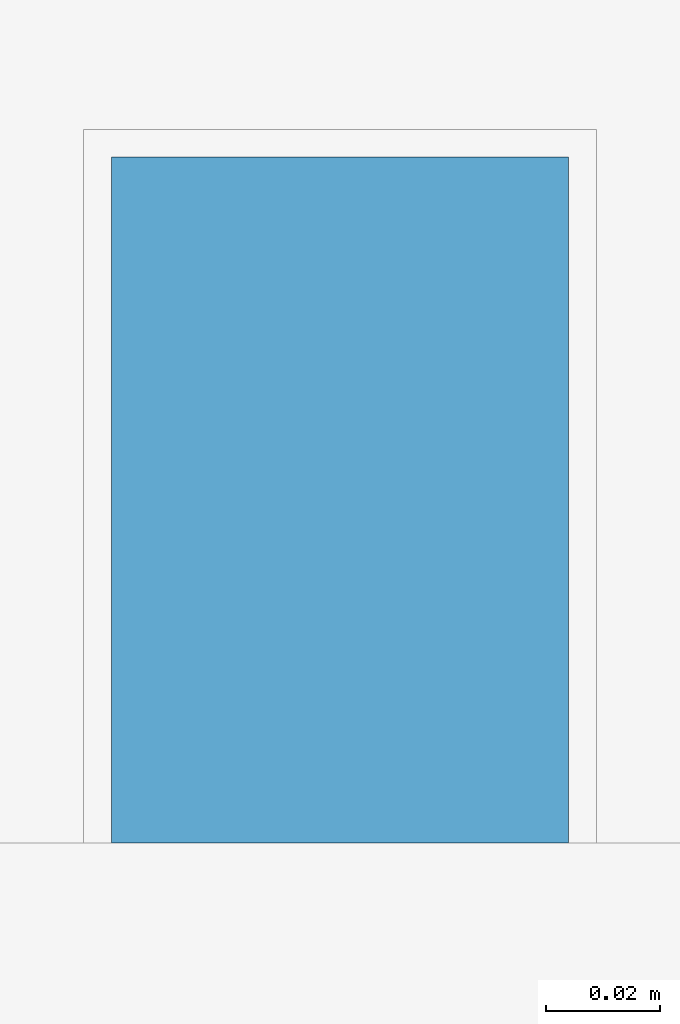
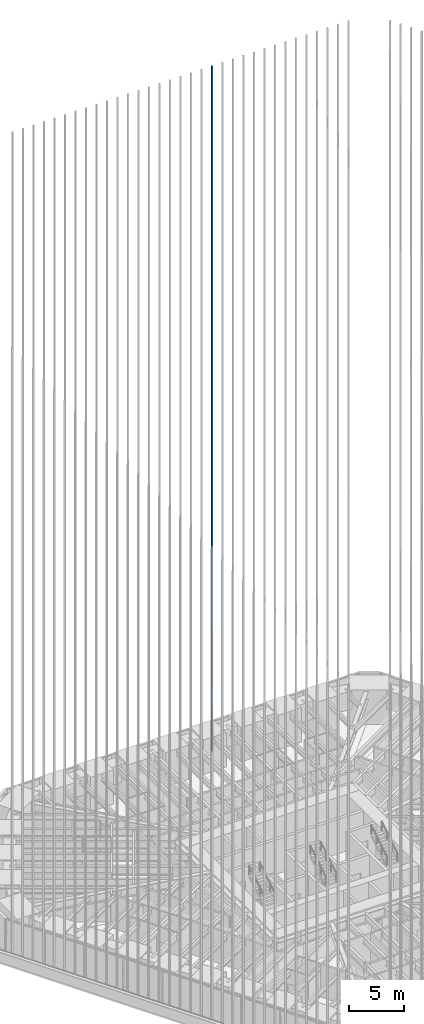
# One storey, part 201 of 238: 1 member, 1 element without a shape of its own.
"""IFC4 building model written with IfcOpenShell, lengths in metres."""

from ifc_helpers import new_model, si_unit, direction, frame, origin, origin_2d, place, context, subcontext, project, spatial, rectangle, extrude, material, material_profile, profile_set, type_object, element, aggregate, save


model = new_model("IFC4")

# Units and contexts
model_context = context("Model", 3, precision=1e-05, world=origin(), true_north=direction((0.0, 1.0)))
body_context = subcontext(model_context, "Body", "Model", "MODEL_VIEW")
ifc_project = project(units=[si_unit("LENGTHUNIT", "METRE"), si_unit("AREAUNIT", "SQUARE_METRE"), si_unit("VOLUMEUNIT", "CUBIC_METRE"), si_unit("PLANEANGLEUNIT", "RADIAN"), si_unit("MASSUNIT", "GRAM", prefix="KILO")], contexts=[model_context])

# Site, building, storey
site_placement = place(None, origin())
site = spatial("IfcSite", under=ifc_project, at=site_placement, CompositionType="ELEMENT")
building_placement = place(site_placement, origin())
building = spatial("IfcBuilding", under=site, at=building_placement, Name="Sandreach Pilgrim Tower", CompositionType="ELEMENT")
storey_placement = place(building_placement, frame((0.0, 0.0, 96.800048828125)))
storey = spatial("IfcBuildingStorey", under=building, at=storey_placement, Name="L23", CompositionType="ELEMENT", Elevation=96.800048828125)

# Curtain wall, member
ifc_material_1 = material(Name="Aluminium framed curtain wall", Category="aluminium")
curtain_wall_type = type_object("IfcCurtainWallType", Name="Hotel tower curtain wall", PredefinedType="NOTDEFINED", material=ifc_material_1)
curtain_wall_placement = place(storey_placement, origin())
curtain_wall = element("IfcCurtainWall", 1, at=curtain_wall_placement, inside=storey, type_object=curtain_wall_type, Name="CW-2 L23 N", PredefinedType="NOTDEFINED")
ifc_material_2 = material(Name="Extruded terracotta on aluminium core", Category="masonry")
ifc_material_profile = material_profile(ifc_material_2, rectangle(XDim=0.080078125, YDim=0.1201171875, at=origin_2d()), Name="TBN 80X120")
ifc_profile_set = profile_set([ifc_material_profile], Name="Extruded terracotta on aluminium core")
member_type = type_object("IfcMemberType", Name="Terracotta baguette north", PredefinedType="USERDEFINED", material=ifc_profile_set)
member_placement = place(storey_placement, frame((3.298095703125, 22.853759765625, 0.0), z_axis=(0.0, 0.0, 1.0), x_axis=(1.0, 0.0, 0.0)))
member = element("IfcMember", 2, at=member_placement, type_object=member_type, Name="Baguette Z2 N20", ObjectType="BAGUETTE", PredefinedType="USERDEFINED", context=body_context, shape_type="SweptSolid", body=[
    extrude(rectangle(XDim=0.080078125, YDim=0.1201171875, at=origin_2d()), origin(), (0.0, 0.0, 1.0), 75.83984375),
])
aggregate(curtain_wall, [member])

save(model, "model.ifc")
